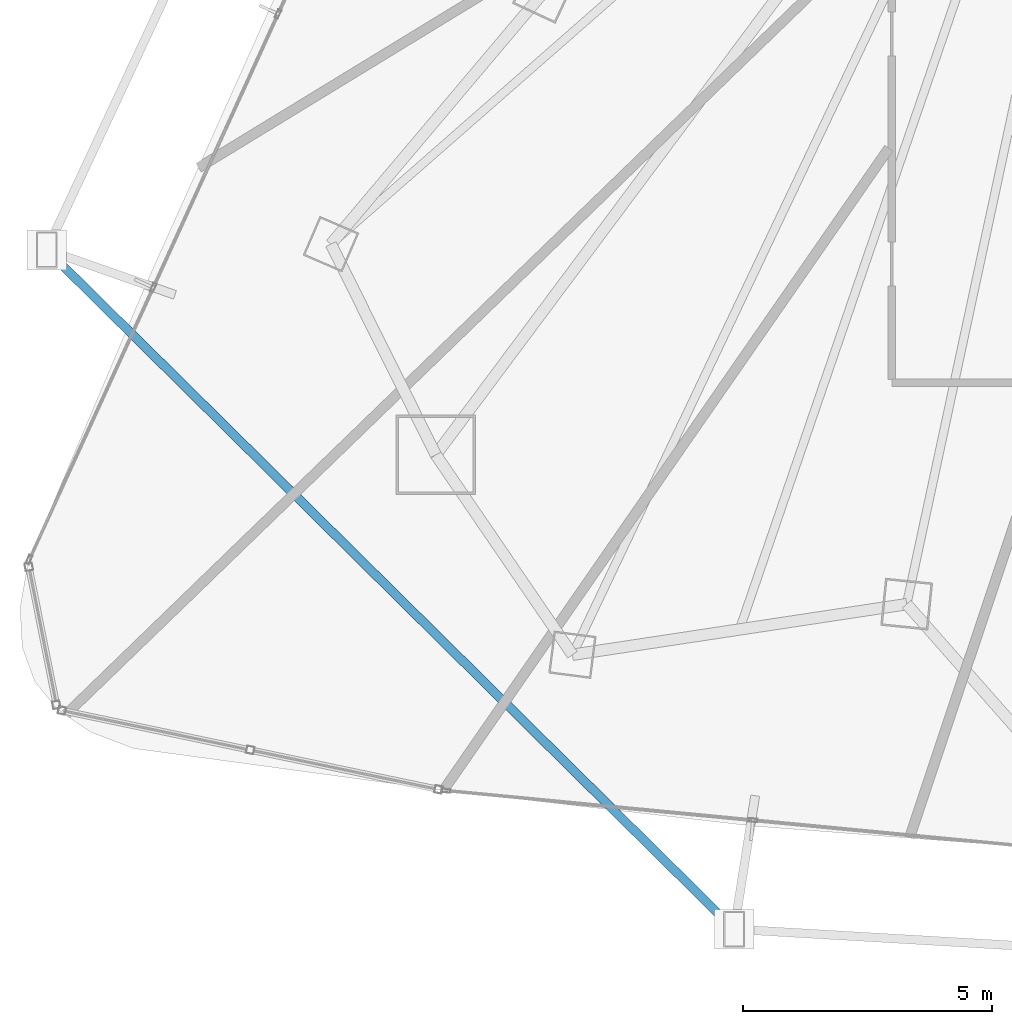
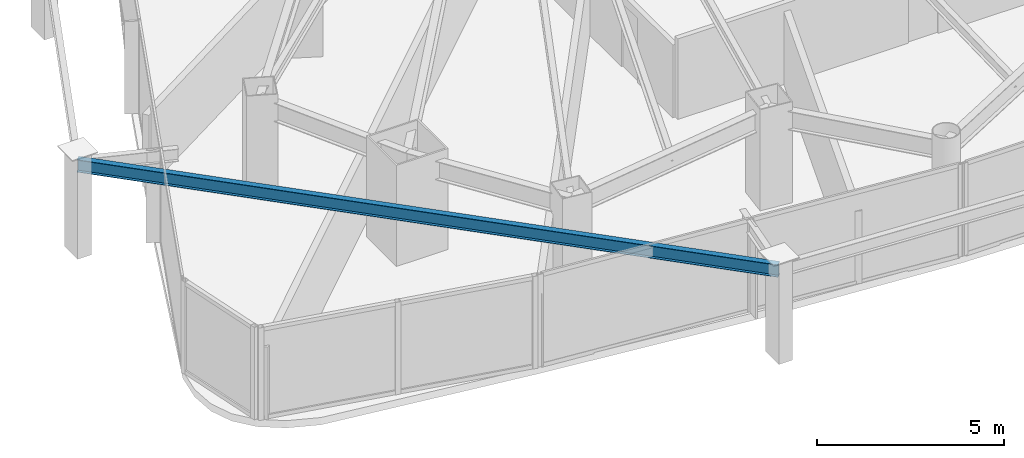
# One storey, part 3 of 33: 1 beam.
"""IFC4 building model written with IfcOpenShell, lengths in metres."""

from ifc_helpers import new_model, si_unit, direction, frame, origin, origin_2d, place, context, subcontext, project, spatial, i_section, extrude, material, material_profile, profile_set, type_object, element, save


model = new_model("IFC4")

# Units and contexts
model_context = context("Model", 3, precision=1e-05, world=origin(), true_north=direction((0.0, 1.0)))
body_context = subcontext(model_context, "Body", "Model", "MODEL_VIEW")
ifc_project = project(units=[si_unit("LENGTHUNIT", "METRE"), si_unit("AREAUNIT", "SQUARE_METRE"), si_unit("VOLUMEUNIT", "CUBIC_METRE"), si_unit("PLANEANGLEUNIT", "RADIAN"), si_unit("MASSUNIT", "GRAM", prefix="KILO")], contexts=[model_context])

# Site, building, storey
site_placement = place(None, origin())
site = spatial("IfcSite", under=ifc_project, at=site_placement, CompositionType="ELEMENT")
building_placement = place(site_placement, origin())
building = spatial("IfcBuilding", under=site, at=building_placement, Name="Orvanel Arch Residences", CompositionType="ELEMENT")
storey_placement = place(building_placement, frame((0.0, 0.0, 93.949951171875)))
storey = spatial("IfcBuildingStorey", under=building, at=storey_placement, Name="L26", CompositionType="ELEMENT", Elevation=93.949951171875)

# Beam
ifc_material = material(Name="Structural steel AS/NZS 3679.1 Grade 300 (300 MPa)", Category="steel")
ifc_material_profile = material_profile(ifc_material, i_section(OverallWidth=0.177978515625, OverallDepth=0.406005859375, WebThickness=0.0078125, FlangeThickness=0.0126953125, at=origin_2d()), Name="410UB59.7")
ifc_profile_set = profile_set([ifc_material_profile], Name="Structural steel AS/NZS 3679.1 Grade 300 (300 MPa)")
beam_type = type_object("IfcBeamType", Name="OB-410UB-EXT", PredefinedType="SPANDREL", material=ifc_profile_set)
beam_placement = place(storey_placement, frame((6.39111328125, 14.465087890625, 2.817138671875), z_axis=(0.711241893717, -0.702947344132, 0.0), x_axis=(0.702947344132, 0.711241893717, 0.0)))
element("IfcBeam", 1, at=beam_placement, inside=storey, type_object=beam_type, Name="L26 Outer Perimeter Floor Ring Beam 04", PredefinedType="SPANDREL", context=body_context, shape_type="SweptSolid", body=[
    extrude(i_section(OverallWidth=0.177978515625, OverallDepth=0.406005859375, WebThickness=0.0078125, FlangeThickness=0.0126953125, at=origin_2d()), origin(), (0.0, 0.0, 1.0), 19.39697265625),
])

save(model, "model.ifc")
